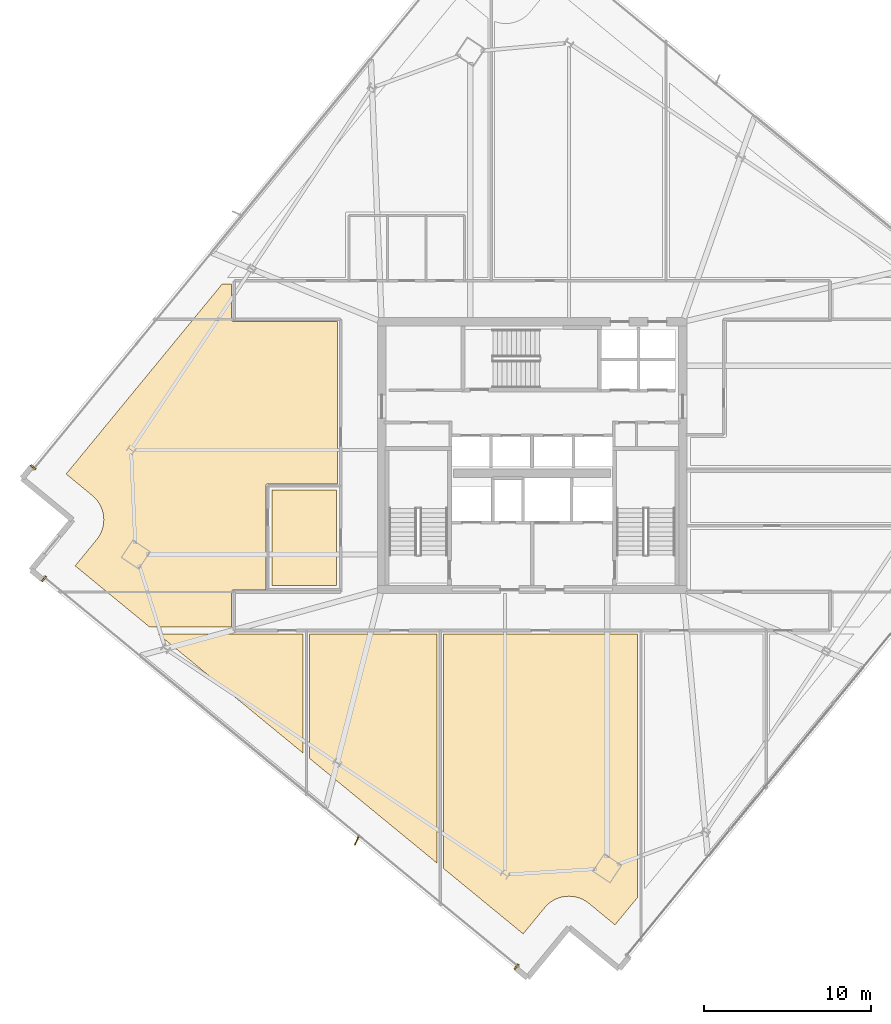
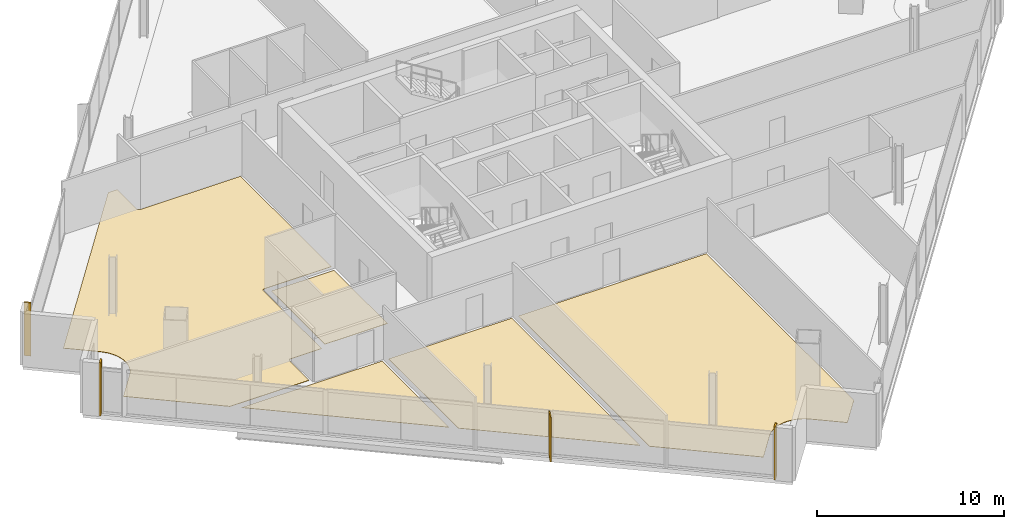
# One storey, part 24 of 28: 8 coverings, 1 shading device.
"""IFC4 building model written with IfcOpenShell, lengths in metres."""

from ifc_helpers import new_model, si_unit, direction, frame, origin, origin_2d, place, context, subcontext, project, spatial, polyline, rectangle, outline, extrude, source, transform, mapped, material, layer, layer_set, type_object, element, save


model = new_model("IFC4")

# Units and contexts
model_context = context("Model", 3, precision=1e-05, world=origin(), true_north=direction((0.0, 1.0)))
body_context = subcontext(model_context, "Body", "Model", "MODEL_VIEW")
ifc_project = project(units=[si_unit("LENGTHUNIT", "METRE"), si_unit("AREAUNIT", "SQUARE_METRE"), si_unit("VOLUMEUNIT", "CUBIC_METRE"), si_unit("PLANEANGLEUNIT", "RADIAN"), si_unit("MASSUNIT", "GRAM", prefix="KILO")], contexts=[model_context])

# Site, building, storey
site_placement = place(None, origin())
site = spatial("IfcSite", under=ifc_project, at=site_placement, CompositionType="ELEMENT")
building_placement = place(site_placement, origin())
building = spatial("IfcBuilding", under=site, at=building_placement, Name="Haldenkirk Collegiate Tower", CompositionType="ELEMENT")
storey_placement = place(building_placement, frame((0.0, 0.0, 198.449951171875)))
storey = spatial("IfcBuildingStorey", under=building, at=storey_placement, Name="L49", CompositionType="ELEMENT", Elevation=198.449951171875)

# Coverings
ifc_material_1 = material(Name="Polished collegiate terrazzo", Category="concrete")
ifc_layer_1 = layer(ifc_material_1, 0.02490234375)
ifc_layer_set_1 = layer_set([ifc_layer_1], Name="Polished collegiate terrazzo")
covering_type_1 = type_object("IfcCoveringType", Name="COV-FLOOR-TERRAZZO", PredefinedType="FLOORING", material=ifc_layer_set_1)
covering_1_placement = place(storey_placement, origin())
element("IfcCovering", 1, at=covering_1_placement, inside=storey, type_object=covering_type_1, Name="L49 academic room finish 02", PredefinedType="FLOORING", context=body_context, shape_type="SweptSolid", body=[
    extrude(outline(polyline([(13.627685546875, 15.35009765625), (22.300048828125, 15.35009765625), (22.300048828125, 8.2265625), (13.627685546875, 15.35009765625)])), origin(), (0.0, 0.0, 1.0), 0.025146484375),
])
covering_2_placement = place(storey_placement, origin())
element("IfcCovering", 2, at=covering_2_placement, inside=storey, type_object=covering_type_1, Name="L49 academic room finish 04", PredefinedType="FLOORING", context=body_context, shape_type="SweptSolid", body=[
    extrude(outline(polyline([(38.568603515625, -0.371826171875), (38.556884765625, -0.36962890625), (38.38720703125, -0.34423828125), (38.375244140625, -0.343017578125), (38.203857421875, -0.334716796875), (38.19189453125, -0.334716796875), (38.0205078125, -0.343017578125), (38.0087890625, -0.34423828125), (37.839111328125, -0.369384765625), (37.827392578125, -0.37158203125), (37.660888671875, -0.4130859375), (37.6494140625, -0.41650390625), (37.48779296875, -0.474365234375), (37.476806640625, -0.47900390625), (37.321533203125, -0.55224609375), (37.311279296875, -0.557861328125), (37.163818359375, -0.64599609375), (37.154052734375, -0.652587890625), (37.01611328125, -0.7548828125), (37.0068359375, -0.76220703125), (36.879638671875, -0.877685546875), (36.871337890625, -0.885986328125), (36.755859375, -1.01318359375), (36.752197265625, -1.017578125), (35.46337890625, -2.586181640625), (30.699951171875, 1.32666015625), (30.699951171875, 15.35009765625), (42.300048828125, 15.35009765625), (42.300048828125, -0.40771484375), (40.95263671875, -2.0478515625), (39.384033203125, -0.759521484375), (39.37939453125, -0.755859375), (39.241455078125, -0.653564453125), (39.231689453125, -0.64697265625), (39.08447265625, -0.55859375), (39.07421875, -0.552978515625), (38.9189453125, -0.4794921875), (38.907958984375, -0.47509765625), (38.746337890625, -0.4169921875), (38.735107421875, -0.413818359375), (38.568603515625, -0.371826171875)])), origin(), (0.0, 0.0, 1.0), 0.025146484375),
])
covering_3_placement = place(storey_placement, origin())
element("IfcCovering", 3, at=covering_3_placement, inside=storey, type_object=covering_type_1, Name="L49 academic room finish 10", PredefinedType="FLOORING", context=body_context, shape_type="SweptSolid", body=[
    extrude(outline(polyline([(9.968994140625, 20.982177734375), (9.97265625, 20.98681640625), (10.0751953125, 21.124755859375), (10.081787109375, 21.134521484375), (10.169921875, 21.281982421875), (10.175537109375, 21.292236328125), (10.2490234375, 21.447509765625), (10.253662109375, 21.458251953125), (10.3115234375, 21.6201171875), (10.31494140625, 21.63134765625), (10.356689453125, 21.7978515625), (10.35888671875, 21.809326171875), (10.38427734375, 21.979248046875), (10.385498046875, 21.990966796875), (10.39404296875, 22.16259765625), (10.39404296875, 22.17431640625), (10.385498046875, 22.345947265625), (10.384521484375, 22.357421875), (10.359375, 22.52734375), (10.35693359375, 22.5390625), (10.3154296875, 22.70556640625), (10.31201171875, 22.716796875), (10.254150390625, 22.878662109375), (10.249755859375, 22.889404296875), (10.17626953125, 23.044921875), (10.1708984375, 23.05517578125), (10.08251953125, 23.202392578125), (10.075927734375, 23.21240234375), (9.9736328125, 23.350341796875), (9.96630859375, 23.359375), (9.85107421875, 23.486572265625), (9.8427734375, 23.4951171875), (9.715576171875, 23.6103515625), (9.711181640625, 23.6142578125), (8.142333984375, 24.902587890625), (17.463134765625, 36.25), (18.030029296875, 36.25), (18.030029296875, 34.14990234375), (18.030517578125, 34.13818359375), (18.0322265625, 34.126708984375), (18.03515625, 34.115234375), (18.0390625, 34.10400390625), (18.044189453125, 34.093505859375), (18.05029296875, 34.083251953125), (18.05712890625, 34.073974609375), (18.065185546875, 34.065185546875), (18.073974609375, 34.05712890625), (18.083251953125, 34.05029296875), (18.093505859375, 34.044189453125), (18.10400390625, 34.0390625), (18.115234375, 34.03515625), (18.126708984375, 34.0322265625), (18.13818359375, 34.030517578125), (18.14990234375, 34.030029296875), (24.35009765625, 34.030029296875), (24.35009765625, 24.320068359375), (20.199951171875, 24.320068359375), (20.188232421875, 24.3193359375), (20.176513671875, 24.317626953125), (20.165283203125, 24.314697265625), (20.154052734375, 24.310791015625), (20.143310546875, 24.305908203125), (20.13330078125, 24.2998046875), (20.123779296875, 24.292724609375), (20.114990234375, 24.284912109375), (20.107177734375, 24.276123046875), (20.10009765625, 24.2666015625), (20.09423828125, 24.256591796875), (20.089111328125, 24.245849609375), (20.085205078125, 24.23486328125), (20.082275390625, 24.223388671875), (20.08056640625, 24.2119140625), (20.080078125, 24.199951171875), (20.080078125, 18.0), (20.08056640625, 17.98828125), (20.082275390625, 17.9765625), (20.083984375, 17.969970703125), (18.14990234375, 17.969970703125), (18.13818359375, 17.969482421875), (18.126708984375, 17.9677734375), (18.115234375, 17.96484375), (18.10400390625, 17.9609375), (18.093505859375, 17.955810546875), (18.083251953125, 17.94970703125), (18.073974609375, 17.94287109375), (18.065185546875, 17.934814453125), (18.05712890625, 17.926025390625), (18.05029296875, 17.916748046875), (18.044189453125, 17.906494140625), (18.0390625, 17.89599609375), (18.03515625, 17.884765625), (18.0322265625, 17.873291015625), (18.030517578125, 17.86181640625), (18.030029296875, 17.85009765625), (18.030029296875, 15.75), (13.140869140625, 15.75), (8.6806640625, 19.41357421875), (9.968994140625, 20.982177734375)])), origin(), (0.0, 0.0, 1.0), 0.025146484375),
])
ifc_material_2 = material(Name="Engineered collegiate oak acoustic flooring", Category="wood")
ifc_layer_2 = layer(ifc_material_2, 0.02197265625)
ifc_layer_set_2 = layer_set([ifc_layer_2], Name="Engineered collegiate oak acoustic flooring")
covering_type_2 = type_object("IfcCoveringType", Name="COV-FLOOR-TIMBER", PredefinedType="FLOORING", material=ifc_layer_set_2)
covering_4_placement = place(storey_placement, origin())
element("IfcCovering", 4, at=covering_4_placement, inside=storey, type_object=covering_type_2, Name="L49 academic room finish 01", PredefinedType="FLOORING", context=body_context, shape_type="SweptSolid", body=[
    extrude(outline(polyline([(20.43994140625, 18.239990234375), (20.43994140625, 23.9599609375), (24.300048828125, 23.9599609375), (24.300048828125, 18.239990234375), (20.43994140625, 18.239990234375)])), origin(), (0.0, 0.0, 1.0), 0.02197265625),
])
covering_5_placement = place(storey_placement, origin())
element("IfcCovering", 5, at=covering_5_placement, inside=storey, type_object=covering_type_2, Name="L49 academic room finish 03", PredefinedType="FLOORING", context=body_context, shape_type="SweptSolid", body=[
    extrude(outline(polyline([(22.699951171875, 7.89794921875), (22.699951171875, 15.35009765625), (30.300048828125, 15.35009765625), (30.300048828125, 1.6552734375), (22.699951171875, 7.89794921875)])), origin(), (0.0, 0.0, 1.0), 0.02197265625),
])
ifc_material_3 = material(Name="Anodised architectural bronze aluminium", Category="aluminium")
ifc_layer_3 = layer(ifc_material_3, 0.06005859375)
ifc_layer_set_3 = layer_set([ifc_layer_3], Name="Anodised architectural bronze aluminium")
covering_type_3 = type_object("IfcCoveringType", Name="COV-CLAD-BRONZE-60", PredefinedType="CLADDING", material=ifc_layer_set_3)
shared_shape_1 = source(origin(), body_context, "Body", "SweptSolid", [
    extrude(rectangle(XDim=0.10009765625, YDim=0.3798828125, at=origin_2d()), origin(), (0.0, 0.0, 1.0), 3.469970703125),
])
for number, where, z_axis, x_axis, name in (
    (6, (6.17041015625, 25.30615234375, 0.0), (0.0, 0.0, 1.0), (0.634730513202, 0.772733573497, 0.0), "L49 recessed curtain-wall bronze jamb closure NJL"),
    (7, (35.06005859375, -4.55810546875, 0.0), (0.0, 0.0, 1.0), (-0.772733573497, 0.634730513202, 0.0), "L49 recessed curtain-wall bronze jamb closure WJL"),
    (8, (6.824462890625, 18.634765625, 0.0), (0.0, 0.0, 1.0), (-0.772733573497, 0.634730513202, 0.0), "L49 recessed curtain-wall bronze jamb closure WJR"),
):
    element("IfcCovering", number, at=place(storey_placement, frame(where, z_axis=z_axis, x_axis=x_axis)), inside=storey, type_object=covering_type_3, Name=name, PredefinedType="CLADDING", context=body_context, shape_type="MappedRepresentation", body=[
        mapped(shared_shape_1, transform((0.0, 0.0, 0.0), x_axis=(1.0, 0.0, 0.0), y_axis=(0.0, 1.0, 0.0), z_axis=(0.0, 0.0, 1.0), scale=1.0)),
    ])

# Shading device
ifc_layer_4 = layer(ifc_material_3, 0.06494140625)
ifc_layer_set_4 = layer_set([ifc_layer_4], Name="Anodised architectural bronze aluminium")
shading_device_type = type_object("IfcShadingDeviceType", Name="SHD-FIN-BRONZE-620", PredefinedType="USERDEFINED", material=ifc_layer_set_4)
shared_shape_2 = source(origin(), body_context, "Body", "SweptSolid", [
    extrude(rectangle(XDim=0.6201171875, YDim=0.06494140625, at=origin_2d()), origin(), (0.0, 0.0, 1.0), 2.927978515625),
])
shading_device_placement = place(storey_placement, frame((25.52587890625, 3.008056640625, 0.0), z_axis=(0.0, 0.0, 1.0), x_axis=(-0.397147890635, -0.917754625684, 0.0)))
element("IfcShadingDevice", 9, at=shading_device_placement, inside=storey, type_object=shading_device_type, Name="L49 folded bronze solar fin 1", ObjectType="FIN", PredefinedType="USERDEFINED", context=body_context, shape_type="MappedRepresentation", body=[
    mapped(shared_shape_2, transform((0.0, 0.0, 0.0), x_axis=(1.0, 0.0, 0.0), y_axis=(0.0, 1.0, 0.0), z_axis=(0.0, 0.0, 1.0), scale=1.0)),
])

save(model, "model.ifc")
